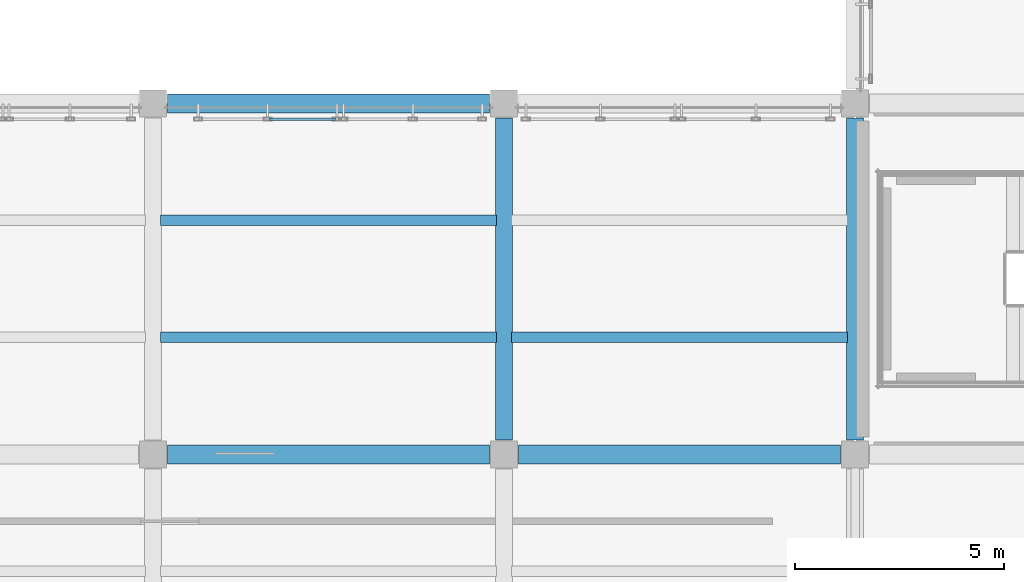
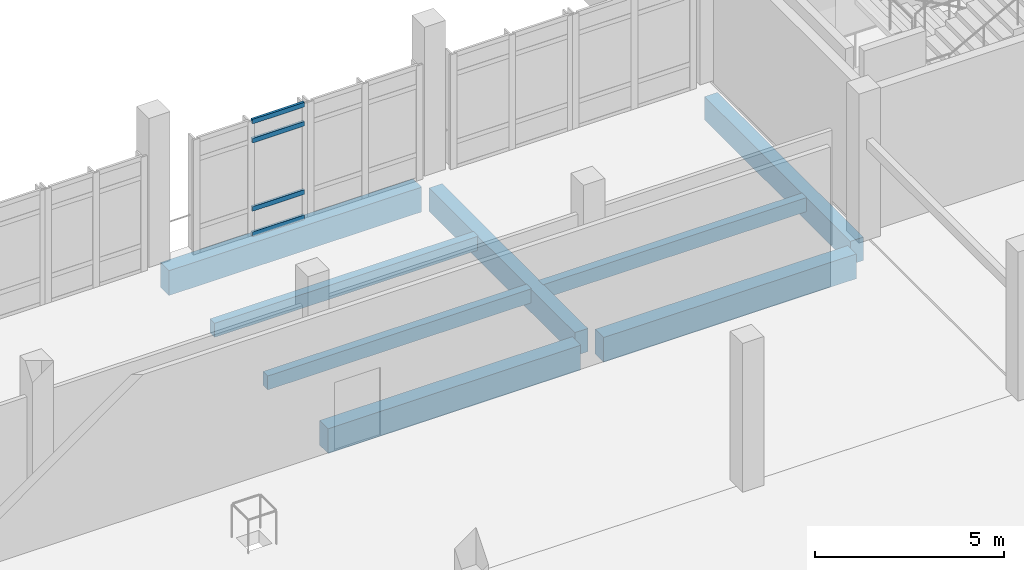
# One storey, part 9 of 63: 8 beams, 4 members, 1 element without a shape of its own.
"""IFC4 building model written with IfcOpenShell, lengths in metres."""

from ifc_helpers import new_model, si_unit, derived_unit, direction, frame, origin, origin_2d, place, context, subcontext, project, spatial, rectangle, hollow_rectangle, extrude, material, layer, layer_set, material_profile, profile_set, type_object, element, aggregate, save


model = new_model("IFC4")

# Units and contexts
model_context = context("Model", 3, precision=1e-05, world=origin(), true_north=direction((0.0, 1.0)))
body_context = subcontext(model_context, "Body", "Model", "MODEL_VIEW")
ifc_project = project(units=[si_unit("LENGTHUNIT", "METRE"), si_unit("AREAUNIT", "SQUARE_METRE"), si_unit("VOLUMEUNIT", "CUBIC_METRE"), si_unit("PLANEANGLEUNIT", "RADIAN"), si_unit("MASSUNIT", "GRAM", prefix="KILO"), derived_unit("THERMALTRANSMITTANCEUNIT", [(si_unit("POWERUNIT", "WATT"), 1), (si_unit("LENGTHUNIT", "METRE"), -2), (si_unit("THERMODYNAMICTEMPERATUREUNIT", "KELVIN"), -1)])], contexts=[model_context])

# Site, building, storey
site_placement = place(None, origin())
site = spatial("IfcSite", under=ifc_project, at=site_placement, CompositionType="ELEMENT")
building_placement = place(site_placement, origin())
building = spatial("IfcBuilding", under=site, at=building_placement, Name="Elbkamm Science Centre", CompositionType="ELEMENT")
storey_placement = place(building_placement, frame((0.0, 0.0, 5.10009765625)))
storey = spatial("IfcBuildingStorey", under=building, at=storey_placement, Name="L01", CompositionType="ELEMENT", Elevation=5.10009765625)

# Beams
ifc_material_1 = material(Name="Concrete C40/50", Category="concrete")
ifc_material_profile_1 = material_profile(ifc_material_1, rectangle(XDim=0.39990234375, YDim=0.75, at=origin_2d()), Name="RC 400x750")
ifc_profile_set_1 = profile_set([ifc_material_profile_1], Name="Concrete C40/50")
beam_type_1 = type_object("IfcBeamType", Name="BM-RC-400x750", PredefinedType="BEAM", material=ifc_profile_set_1)
for number, where, z_axis, x_axis, name in (
    (1, (117.60009765625, 50.75, -0.775146484375), (0.0, 1.0, 0.0), (-1.0, 0.0, 0.0), "L01 Primary Y-Girder 040"),
    (2, (126.0, 50.75, -0.775146484375), (0.0, 1.0, 0.0), (-1.0, 0.0, 0.0), "L01 Primary Y-Girder 044"),
):
    element("IfcBeam", number, at=place(storey_placement, frame(where, z_axis=z_axis, x_axis=x_axis)), inside=storey, type_object=beam_type_1, Name=name, PredefinedType="BEAM", context=body_context, shape_type="SweptSolid", body=[
        extrude(rectangle(XDim=0.39990234375, YDim=0.75, at=origin_2d()), origin(), (0.0, 0.0, 1.0), 7.699951171875),
    ])
ifc_material_profile_2 = material_profile(ifc_material_1, rectangle(XDim=0.449951171875, YDim=0.800048828125, at=origin_2d()), Name="RC 450x800")
ifc_profile_set_2 = profile_set([ifc_material_profile_2], Name="Concrete C40/50")
beam_type_2 = type_object("IfcBeamType", Name="BM-RC-450x800", PredefinedType="BEAM", material=ifc_profile_set_2)
for number, where, z_axis, x_axis, name in (
    (3, (109.550048828125, 50.39990234375, -0.800048828125), (1.0, 0.0, 0.0), (0.0, 1.0, 0.0), "L01 Primary X-Girder 052"),
    (4, (117.949951171875, 50.39990234375, -0.800048828125), (1.0, 0.0, 0.0), (0.0, 1.0, 0.0), "L01 Primary X-Girder 053"),
    (5, (109.550048828125, 58.800048828125, -0.800048828125), (1.0, 0.0, 0.0), (0.0, 1.0, 0.0), "L01 Primary X-Girder 062"),
):
    element("IfcBeam", number, at=place(storey_placement, frame(where, z_axis=z_axis, x_axis=x_axis)), inside=storey, type_object=beam_type_2, Name=name, PredefinedType="BEAM", context=body_context, shape_type="SweptSolid", body=[
        extrude(rectangle(XDim=0.449951171875, YDim=0.800048828125, at=origin_2d()), origin(), (0.0, 0.0, 1.0), 7.699951171875),
    ])

# Curtain wall, members
ifc_material_2 = material(Name="Powder-coated aluminium and triple low-E glazing", Category="aluminium")
ifc_layer = layer(ifc_material_2, 0.159912109375)
ifc_layer_set = layer_set([ifc_layer], Name="Powder-coated aluminium and triple low-E glazing")
curtain_wall_type = type_object("IfcCurtainWallType", Name="CW-UNIT-3400x3700", PredefinedType="USERDEFINED", material=ifc_layer_set)
curtain_wall_placement = place(storey_placement, origin())
curtain_wall = element("IfcCurtainWall", 6, at=curtain_wall_placement, inside=storey, type_object=curtain_wall_type, Name="L01 Unitised Curtain Wall 151", ObjectType="UNITISED CURTAIN WALL", PredefinedType="USERDEFINED")
ifc_material_3 = material(Name="Powder-coated aluminium EN AW-6060", Category="aluminium")
ifc_material_profile_3 = material_profile(ifc_material_3, hollow_rectangle(XDim=0.070068359375, YDim=0.14990234375, WallThickness=0.00390625, at=origin_2d()), Name="ALU T70x150")
ifc_profile_set_3 = profile_set([ifc_material_profile_3], Name="Powder-coated aluminium EN AW-6060")
member_type = type_object("IfcMemberType", Name="CW-TRN-70x150", PredefinedType="USERDEFINED", material=ifc_profile_set_3)
member_1_placement = place(storey_placement, frame((111.978759765625, 58.419921875, 0.034912109375), z_axis=(1.0, 0.0, 0.0), x_axis=(0.0, 1.0, 0.0)))
member_1 = element("IfcMember", 7, at=member_1_placement, type_object=member_type, Name="CW-072 transom 2.1", ObjectType="TRANSOM", PredefinedType="USERDEFINED", context=body_context, shape_type="SweptSolid", body=[
    extrude(hollow_rectangle(XDim=0.070068359375, YDim=0.14990234375, WallThickness=0.00390625, at=origin_2d()), origin(), (0.0, 0.0, 1.0), 1.591552734375),
])
member_2_placement = place(storey_placement, frame((111.978759765625, 58.419921875, 0.849853515625), z_axis=(1.0, 0.0, 0.0), x_axis=(0.0, 1.0, 0.0)))
member_2 = element("IfcMember", 8, at=member_2_placement, type_object=member_type, Name="CW-072 transom 2.2", ObjectType="TRANSOM", PredefinedType="USERDEFINED", context=body_context, shape_type="SweptSolid", body=[
    extrude(hollow_rectangle(XDim=0.070068359375, YDim=0.14990234375, WallThickness=0.00390625, at=origin_2d()), origin(), (0.0, 0.0, 1.0), 1.591552734375),
])
member_3_placement = place(storey_placement, frame((111.978759765625, 58.419921875, 3.0498046875), z_axis=(1.0, 0.0, 0.0), x_axis=(0.0, 1.0, 0.0)))
member_3 = element("IfcMember", 9, at=member_3_placement, type_object=member_type, Name="CW-072 transom 2.3", ObjectType="TRANSOM", PredefinedType="USERDEFINED", context=body_context, shape_type="SweptSolid", body=[
    extrude(hollow_rectangle(XDim=0.070068359375, YDim=0.14990234375, WallThickness=0.00390625, at=origin_2d()), origin(), (0.0, 0.0, 1.0), 1.591552734375),
])
member_4_placement = place(storey_placement, frame((111.978759765625, 58.419921875, 3.664794921875), z_axis=(1.0, 0.0, 0.0), x_axis=(0.0, 1.0, 0.0)))
member_4 = element("IfcMember", 10, at=member_4_placement, type_object=member_type, Name="CW-072 transom 2.4", ObjectType="TRANSOM", PredefinedType="USERDEFINED", context=body_context, shape_type="SweptSolid", body=[
    extrude(hollow_rectangle(XDim=0.070068359375, YDim=0.14990234375, WallThickness=0.00390625, at=origin_2d()), origin(), (0.0, 0.0, 1.0), 1.591552734375),
])
aggregate(curtain_wall, [member_1, member_2, member_3, member_4])

# Beams
ifc_material_profile_4 = material_profile(ifc_material_1, rectangle(XDim=0.25, YDim=0.449951171875, at=origin_2d()), Name="RC 250x450")
ifc_profile_set_4 = profile_set([ifc_material_profile_4], Name="Concrete C40/50")
beam_type_3 = type_object("IfcBeamType", Name="JST-RC-250x450", PredefinedType="JOIST", material=ifc_profile_set_4)
for number, where, z_axis, x_axis, name in (
    (11, (109.3798828125, 53.199951171875, -0.625), (1.0, 0.0, 0.0), (0.0, 1.0, 0.0), "L01 Secondary Floor Joist 051"),
    (12, (109.3798828125, 56.0, -0.625), (1.0, 0.0, 0.0), (0.0, 1.0, 0.0), "L01 Secondary Floor Joist 052"),
    (13, (117.780029296875, 53.199951171875, -0.625), (1.0, 0.0, 0.0), (0.0, 1.0, 0.0), "L01 Secondary Floor Joist 055"),
):
    element("IfcBeam", number, at=place(storey_placement, frame(where, z_axis=z_axis, x_axis=x_axis)), inside=storey, type_object=beam_type_3, Name=name, PredefinedType="JOIST", context=body_context, shape_type="SweptSolid", body=[
        extrude(rectangle(XDim=0.25, YDim=0.449951171875, at=origin_2d()), origin(), (0.0, 0.0, 1.0), 8.0400390625),
    ])

save(model, "model.ifc")
